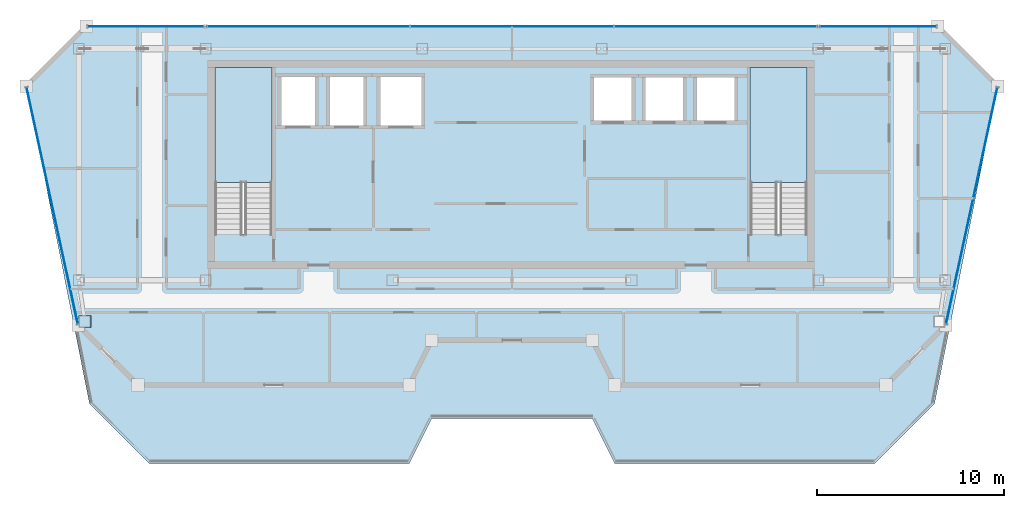
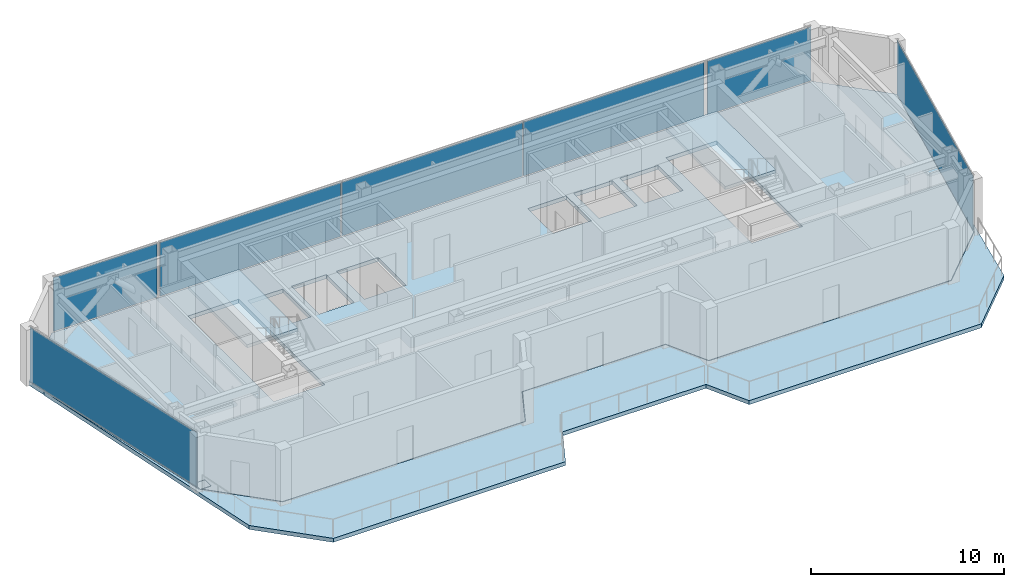
# One storey, part 10 of 17: 8 plates, 4 slabs, 7 elements without a shape of their own.
"""IFC4 building model written with IfcOpenShell, lengths in metres."""

import ifcopenshell
import ifcopenshell.guid

model = None  # the IFC model being written
_history = None  # IfcOwnerHistory: only IFC2X3 demands one
_inside = {}  # id of a spatial element -> (the spatial element, [elements in it])
_under = {}  # id of a project, library or spatial element -> (it, [spatial elements below it])
_declared = {}  # id of a project -> (the project, [libraries it declares])
_typed = {}  # id of a type object -> (the type object, [elements of that type])
_made_of = {}  # id of a material, layer set ... -> (it, [elements and type objects made of it])


def new_model(schema):
    """Start an empty IFC model of exactly this schema.

    Asked for "IFC4X3", IfcOpenShell would pick the latest addendum, in which some entities
    have other attributes; the version numbers below select the first issue.
    IFC2X3 requires an IfcOwnerHistory on every rooted entity: one is made here for all.
    """
    global model, _history
    if schema == "IFC4X3":
        model = ifcopenshell.file(schema_version=(4, 3, 0, 0))
    else:
        model = ifcopenshell.file(schema=schema)
    _inside.clear()
    _under.clear()
    _declared.clear()
    _typed.clear()
    _made_of.clear()
    _history = None
    if model.schema == "IFC2X3":
        org = make("IfcOrganization", Name="unknown")
        user = make(
            "IfcPersonAndOrganization",
            ThePerson=make("IfcPerson", FamilyName="unknown"),
            TheOrganization=org,
        )
        app = make(
            "IfcApplication",
            ApplicationDeveloper=org,
            Version="unknown",
            ApplicationFullName="unknown",
            ApplicationIdentifier="unknown",
        )
        _history = make(
            "IfcOwnerHistory",
            OwningUser=user,
            OwningApplication=app,
            ChangeAction="ADDED",
            CreationDate=0,
        )
    return model


def make(cls, **values):
    """One entity of the class cls with the attributes given. An attribute that is None is left unset."""
    return model.create_entity(
        cls, **{name: value for name, value in values.items() if value is not None}
    )


def rooted(cls, **values):
    """An entity with a GlobalId (a new one), such as an element, a storey or a relation."""
    return make(cls, GlobalId=ifcopenshell.guid.new(), OwnerHistory=_history, **values)


def si_unit(unit_type, name, prefix=None):
    """IfcSIUnit, for example si_unit("LENGTHUNIT", "METRE", prefix="MILLI")."""
    return make("IfcSIUnit", UnitType=unit_type, Prefix=prefix, Name=name)


def assignment(units):
    """IfcUnitAssignment: the units of a project."""
    return None if units is None else make("IfcUnitAssignment", Units=units)


def point(xyz):
    """IfcCartesianPoint."""
    return None if xyz is None else make("IfcCartesianPoint", Coordinates=xyz)


def direction(xyz):
    """IfcDirection."""
    return None if xyz is None else make("IfcDirection", DirectionRatios=xyz)


def frame(location, z_axis=None, x_axis=None):
    """IfcAxis2Placement3D, a coordinate frame: its origin and axes. An axis left out is left unset."""
    return make(
        "IfcAxis2Placement3D",
        Location=point(location),
        Axis=direction(z_axis),
        RefDirection=direction(x_axis),
    )


def frame_2d(location, x_axis=None):
    """IfcAxis2Placement2D, a coordinate frame in the plane: its origin and x axis."""
    return make(
        "IfcAxis2Placement2D", Location=point(location), RefDirection=direction(x_axis)
    )


def origin():
    """The frame at (0, 0, 0) with its axes left unset."""
    return frame((0.0, 0.0, 0.0))


def origin_2d():
    """The frame at (0, 0) in the plane with its x axis left unset."""
    return frame_2d((0.0, 0.0))


def place(relative_to, where):
    """IfcLocalPlacement: puts the frame where relative to a parent placement (None: the world)."""
    return make(
        "IfcLocalPlacement", PlacementRelTo=relative_to, RelativePlacement=where
    )


def context(
    kind, dimensions, precision=None, world=None, true_north=None, identifier=None
):
    """IfcGeometricRepresentationContext, for example the 3D "Model" context."""
    return make(
        "IfcGeometricRepresentationContext",
        ContextIdentifier=identifier,
        ContextType=kind,
        CoordinateSpaceDimension=dimensions,
        Precision=precision,
        WorldCoordinateSystem=world,
        TrueNorth=true_north,
    )


def subcontext(parent, identifier, kind, view, scale=None):
    """IfcGeometricRepresentationSubContext, for example "Body" below "Model"."""
    return make(
        "IfcGeometricRepresentationSubContext",
        ContextIdentifier=identifier,
        ContextType=kind,
        ParentContext=parent,
        TargetScale=scale,
        TargetView=view,
    )


def project(units=None, contexts=None):
    """IfcProject with its units and contexts."""
    return rooted(
        "IfcProject",
        Name="project",
        RepresentationContexts=contexts,
        UnitsInContext=assignment(units),
    )


def spatial(cls, under=None, at=None, **own):
    """A site, building, storey or space (cls), placed at a placement, below another one or the project."""
    s = rooted(cls, ObjectPlacement=at, **own)
    if under is not None:
        _under.setdefault(under.id(), (under, []))[1].append(s)
    return s


def polyline(points):
    """IfcPolyline through the points."""
    return make("IfcPolyline", Points=[point(p) for p in points])


def profile(cls, at=None, kind="AREA", **sizes):
    """A parametric profile (cls). Its sizes go by their IFC names, for example OverallWidth=200.0."""
    return make(cls, ProfileType=kind, Position=at, **sizes)


def rectangle(**sizes):
    """IfcRectangleProfileDef."""
    return profile("IfcRectangleProfileDef", **sizes)


def outline(outer, holes=None, kind="AREA"):
    """IfcArbitraryClosedProfileDef: a profile drawn as a closed curve; with holes, ...WithVoids."""
    if holes is None:
        return make("IfcArbitraryClosedProfileDef", ProfileType=kind, OuterCurve=outer)
    return make(
        "IfcArbitraryProfileDefWithVoids",
        ProfileType=kind,
        OuterCurve=outer,
        InnerCurves=holes,
    )


def extrude(swept, where, along, depth):
    """IfcExtrudedAreaSolid: the profile swept, set in the frame where, extruded along a direction by depth."""
    return make(
        "IfcExtrudedAreaSolid",
        SweptArea=swept,
        Position=where,
        ExtrudedDirection=direction(along),
        Depth=depth,
    )


def shape(context_of_items, identifier, shape_type, items):
    """IfcShapeRepresentation: the items that make up one representation, for example the "Body"."""
    return make(
        "IfcShapeRepresentation",
        ContextOfItems=context_of_items,
        RepresentationIdentifier=identifier,
        RepresentationType=shape_type,
        Items=items,
    )


def material(Name=None, Category=None):
    """IfcMaterial."""
    return make("IfcMaterial", Name=Name, Category=Category)


def layer(
    of_material, thickness, ventilated=None, Name=None, Category=None, Priority=None
):
    """IfcMaterialLayer: one layer of a wall or slab, of a material (None: an air gap)."""
    return make(
        "IfcMaterialLayer",
        Material=of_material,
        LayerThickness=thickness,
        IsVentilated=ventilated,
        Name=Name,
        Category=Category,
        Priority=Priority,
    )


def layer_set(layers, Name=None):
    """IfcMaterialLayerSet."""
    return make("IfcMaterialLayerSet", MaterialLayers=layers, LayerSetName=Name)


def made_of(thing, what):
    """Note that an element or type object is made of a material, layer set ...; save() writes the relation."""
    if what is not None:
        _made_of.setdefault(what.id(), (what, []))[1].append(thing)
    return thing


def type_object(cls, material=None, **own):
    """A type object (cls), such as IfcWallType, which elements share."""
    return made_of(rooted(cls, **own), material)


def element(
    cls,
    number,
    at=None,
    inside=None,
    cuts=None,
    type_object=None,
    material=None,
    context=None,
    identifier="Body",
    shape_type=None,
    held_by="IfcProductDefinitionShape",
    body=None,
    shapes=None,
    **own,
):
    """One element of the class cls, such as IfcWall. Its Tag is "e" and its number.

    at: its placement. inside: the storey or other place that contains it. cuts: it is an
    opening in that element (IfcRelVoidsElement). A single representation is given by context,
    identifier, shape_type and body (its items); several are given by shapes. held_by: the class
    of the entity that holds the representations. save() writes the other relations.
    """
    e = rooted(cls, Tag="e%d" % number, ObjectPlacement=at, **own)
    if body is not None:
        shapes = [shape(context, identifier, shape_type, body)]
    if shapes is not None:
        e.Representation = make(held_by, Representations=shapes)
    if inside is not None:
        _inside.setdefault(inside.id(), (inside, []))[1].append(e)
    if cuts is not None:
        rooted(
            "IfcRelVoidsElement", RelatingBuildingElement=cuts, RelatedOpeningElement=e
        )
    if type_object is not None:
        _typed.setdefault(type_object.id(), (type_object, []))[1].append(e)
    return made_of(e, material)


def aggregate(whole, parts):
    """IfcRelAggregates: a whole, such as a stair, and the parts it consists of."""
    return rooted("IfcRelAggregates", RelatingObject=whole, RelatedObjects=parts)


def save(model, path):
    """Write the relations noted so far, then the file.

    IfcRelAggregates (storeys below a building ...), IfcRelContainedInSpatialStructure (elements
    in a storey), IfcRelDefinesByType, IfcRelAssociatesMaterial and IfcRelDeclares: one each for
    every whole, place, type object, material and project.
    """
    for whole, parts in _under.values():
        aggregate(whole, parts)
    for where, things in _inside.values():
        rooted(
            "IfcRelContainedInSpatialStructure",
            RelatedElements=things,
            RelatingStructure=where,
        )
    for kind, things in _typed.values():
        rooted("IfcRelDefinesByType", RelatedObjects=things, RelatingType=kind)
    for what, things in _made_of.values():
        rooted("IfcRelAssociatesMaterial", RelatedObjects=things, RelatingMaterial=what)
    for by, libraries in _declared.values():
        rooted("IfcRelDeclares", RelatingContext=by, RelatedDefinitions=libraries)
    model.write(path)


model = new_model("IFC4")

# Units and contexts
model_context = context("Model", 3, precision=1e-05, world=origin(), true_north=direction((0.0, 1.0)))
body_context = subcontext(model_context, "Body", "Model", "MODEL_VIEW")
ifc_project = project(units=[si_unit("LENGTHUNIT", "METRE"), si_unit("AREAUNIT", "SQUARE_METRE"), si_unit("VOLUMEUNIT", "CUBIC_METRE"), si_unit("PLANEANGLEUNIT", "RADIAN"), si_unit("MASSUNIT", "GRAM", prefix="KILO")], contexts=[model_context])

# Site, building, storey
site_placement = place(None, origin())
site = spatial("IfcSite", under=ifc_project, at=site_placement, CompositionType="ELEMENT")
building_placement = place(site_placement, origin())
building = spatial("IfcBuilding", under=site, at=building_placement, Name="Saevonmaru Cultural Tower", CompositionType="ELEMENT")
storey_placement = place(building_placement, frame((0.0, 0.0, 310.39990234375)))
storey = spatial("IfcBuildingStorey", under=building, at=storey_placement, Name="L74", CompositionType="ELEMENT", Elevation=310.39990234375)

# Plate
ifc_material_1 = material(Name="Steel HSA600 (600 MPa)", Category="steel")
ifc_layer_1 = layer(ifc_material_1, 0.0400390625, Name="Steel HSA600 (600 MPa)")
ifc_layer_set_1 = layer_set([ifc_layer_1], Name="Steel HSA600 (600 MPa)")
plate_type_1 = type_object("IfcPlateType", Name="PL-CAP-600", PredefinedType="USERDEFINED", material=ifc_layer_set_1)
plate_1_placement = place(storey_placement, frame((7.132080078125, 40.199951171875, -0.034912109375), z_axis=(0.0, 0.0, 1.0), x_axis=(1.0, 0.0, 0.0)))
element("IfcPlate", 1, at=plate_1_placement, inside=storey, type_object=plate_type_1, Name="Column base cap plate TC-WO-Y402", ObjectType="CAP_PLATE", PredefinedType="USERDEFINED", context=body_context, shape_type="SweptSolid", body=[
    extrude(rectangle(XDim=0.639892578125, YDim=0.639892578125, at=origin_2d()), origin(), (0.0, 0.0, 1.0), 0.0400390625),
])

# Curtain wall, plate
ifc_material_2 = material(Name="Satin Bronze Anodised Aluminium", Category="aluminium")
curtain_wall_type = type_object("IfcCurtainWallType", Name="CW-TYP-B", PredefinedType="NOTDEFINED", material=ifc_material_2)
curtain_wall_1_placement = place(storey_placement, origin())
curtain_wall_1 = element("IfcCurtainWall", 2, at=curtain_wall_1_placement, inside=storey, type_object=curtain_wall_type, Name="L74 Unitised Curtain Wall E8", PredefinedType="NOTDEFINED")
ifc_material_3 = material(Name="Triple Silver Low-E Insulating Glass", Category="glass")
ifc_layer_2 = layer(ifc_material_3, 0.035888671875, Name="Triple Silver Low-E Insulating Glass")
ifc_layer_set_2 = layer_set([ifc_layer_2], Name="Triple Silver Low-E Insulating Glass")
plate_type_2 = type_object("IfcPlateType", Name="PN-GLZ-IGU", PredefinedType="CURTAIN_PANEL", material=ifc_layer_set_2)
plate_2_placement = place(storey_placement, frame((54.61328125, 46.39990234375, 0.067138671875), z_axis=(0.0, 0.0, 1.0), x_axis=(0.211750401587, 0.977323778196, 0.0)))
plate_2 = element("IfcPlate", 3, at=plate_2_placement, type_object=plate_type_2, Name="CW-TW-L74-E8 panel 1.1", PredefinedType="CURTAIN_PANEL", context=body_context, shape_type="SweptSolid", body=[
    extrude(rectangle(XDim=12.907958984375, YDim=0.035888671875, at=origin_2d()), origin(), (0.0, 0.0, 1.0), 3.416015625),
])
aggregate(curtain_wall_1, [plate_2])

# Curtain wall, plates
curtain_wall_2_placement = place(storey_placement, origin())
curtain_wall_2 = element("IfcCurtainWall", 4, at=curtain_wall_2_placement, inside=storey, type_object=curtain_wall_type, Name="L74 North Spine Unitised Curtain Wall E10B", PredefinedType="NOTDEFINED")
plate_3_placement = place(storey_placement, frame((40.893310546875, 56.0, 0.067138671875), z_axis=(0.0, 0.0, 1.0), x_axis=(-1.0, 0.0, 0.0)))
plate_3 = element("IfcPlate", 5, at=plate_3_placement, type_object=plate_type_2, Name="CW-TW-L74-E10B panel 1.1", PredefinedType="CURTAIN_PANEL", context=body_context, shape_type="SweptSolid", body=[
    extrude(rectangle(XDim=10.82421875, YDim=0.035888671875, at=origin_2d()), origin(), (0.0, 0.0, 1.0), 3.416015625),
])
plate_4_placement = place(storey_placement, frame((30.0, 56.0, 0.067138671875), z_axis=(0.0, 0.0, 1.0), x_axis=(-1.0, 0.0, 0.0)))
plate_4 = element("IfcPlate", 6, at=plate_4_placement, type_object=plate_type_2, Name="CW-TW-L74-E10B panel 2.1", PredefinedType="CURTAIN_PANEL", context=body_context, shape_type="SweptSolid", body=[
    extrude(rectangle(XDim=10.82421875, YDim=0.035888671875, at=origin_2d()), origin(), (0.0, 0.0, 1.0), 3.416015625),
])
plate_5_placement = place(storey_placement, frame((19.106689453125, 56.0, 0.067138671875), z_axis=(0.0, 0.0, 1.0), x_axis=(-1.0, 0.0, 0.0)))
plate_5 = element("IfcPlate", 7, at=plate_5_placement, type_object=plate_type_2, Name="CW-TW-L74-E10B panel 3.1", PredefinedType="CURTAIN_PANEL", context=body_context, shape_type="SweptSolid", body=[
    extrude(rectangle(XDim=10.82421875, YDim=0.035888671875, at=origin_2d()), origin(), (0.0, 0.0, 1.0), 3.416015625),
])
aggregate(curtain_wall_2, [plate_3, plate_4, plate_5])

# Curtain wall, plate
curtain_wall_3_placement = place(storey_placement, origin())
curtain_wall_3 = element("IfcCurtainWall", 8, at=curtain_wall_3_placement, inside=storey, type_object=curtain_wall_type, Name="L74 Unitised Curtain Wall E12", PredefinedType="NOTDEFINED")
plate_6_placement = place(storey_placement, frame((5.38671875, 46.39990234375, 0.067138671875), z_axis=(0.0, 0.0, 1.0), x_axis=(0.211750401587, -0.977323778196, 0.0)))
plate_6 = element("IfcPlate", 9, at=plate_6_placement, type_object=plate_type_2, Name="CW-TW-L74-E12 panel 1.1", PredefinedType="CURTAIN_PANEL", context=body_context, shape_type="SweptSolid", body=[
    extrude(rectangle(XDim=12.907958984375, YDim=0.035888671875, at=origin_2d()), origin(), (0.0, 0.0, 1.0), 3.416015625),
])
aggregate(curtain_wall_3, [plate_6])

curtain_wall_4_placement = place(storey_placement, origin())
curtain_wall_4 = element("IfcCurtainWall", 10, at=curtain_wall_4_placement, inside=storey, type_object=curtain_wall_type, Name="L74 East Braced Bay Spandrel Curtain Wall E10A", PredefinedType="NOTDEFINED")
ifc_material_4 = material(Name="Insulated Satin Bronze Aluminium Spandrel Panel", Category="aluminium")
ifc_layer_3 = layer(ifc_material_4, 0.0400390625, Name="Insulated Satin Bronze Aluminium Spandrel Panel")
ifc_layer_set_3 = layer_set([ifc_layer_3], Name="Insulated Satin Bronze Aluminium Spandrel Panel")
plate_type_3 = type_object("IfcPlateType", Name="PN-SPANDREL-BRONZE", PredefinedType="CURTAIN_PANEL", material=ifc_layer_set_3)
plate_7_placement = place(storey_placement, frame((49.60009765625, 56.0, 0.067138671875), z_axis=(0.0, 0.0, 1.0), x_axis=(-1.0, 0.0, 0.0)))
plate_7 = element("IfcPlate", 11, at=plate_7_placement, type_object=plate_type_3, Name="CW-TW-L74-E10A panel 1.1", PredefinedType="CURTAIN_PANEL", context=body_context, shape_type="SweptSolid", body=[
    extrude(rectangle(XDim=6.2109375, YDim=0.035888671875, at=origin_2d()), origin(), (0.0, 0.0, 1.0), 3.416015625),
])
aggregate(curtain_wall_4, [plate_7])

curtain_wall_5_placement = place(storey_placement, origin())
curtain_wall_5 = element("IfcCurtainWall", 12, at=curtain_wall_5_placement, inside=storey, type_object=curtain_wall_type, Name="L74 West Braced Bay Spandrel Curtain Wall E10C", PredefinedType="NOTDEFINED")
plate_8_placement = place(storey_placement, frame((10.39990234375, 56.0, 0.067138671875), z_axis=(0.0, 0.0, 1.0), x_axis=(-1.0, 0.0, 0.0)))
plate_8 = element("IfcPlate", 13, at=plate_8_placement, type_object=plate_type_3, Name="CW-TW-L74-E10C panel 1.1", PredefinedType="CURTAIN_PANEL", context=body_context, shape_type="SweptSolid", body=[
    extrude(rectangle(XDim=6.2109375, YDim=0.035888671875, at=origin_2d()), origin(), (0.0, 0.0, 1.0), 3.416015625),
])
aggregate(curtain_wall_5, [plate_8])

# Slab
ifc_material_5 = material(Name="Concrete C40/50", Category="concrete")
ifc_layer_4 = layer(ifc_material_5, 0.25, Name="Concrete C40/50")
ifc_layer_set_4 = layer_set([ifc_layer_4], Name="Concrete C40/50")
slab_type_1 = type_object("IfcSlabType", Name="SL-FLR-250", PredefinedType="FLOOR", material=ifc_layer_set_4)
slab_1_placement = place(storey_placement, frame((0.0, 0.0, -0.25)))
element("IfcSlab", 14, at=slab_1_placement, inside=storey, type_object=slab_type_1, Name="L74 Tower Structural Floor Slab", PredefinedType="FLOOR", context=body_context, shape_type="SweptSolid", body=[
    extrude(outline(polyline([(6.773193359375, 40.0), (9.973388671875, 36.800048828125), (24.5, 36.800048828125), (25.699951171875, 39.199951171875), (34.300048828125, 39.199951171875), (35.5, 36.800048828125), (50.026611328125, 36.800048828125), (53.226806640625, 40.0), (56.0, 52.800048828125), (52.800048828125, 56.0), (7.199951171875, 56.0), (4.0, 52.800048828125), (6.773193359375, 40.0)]), holes=[polyline([(45.800048828125, 53.800048828125), (45.800048828125, 44.875), (42.75, 44.875), (42.75, 53.800048828125), (45.800048828125, 53.800048828125)]), polyline([(42.050048828125, 50.800048828125), (39.75, 50.800048828125), (39.75, 53.39990234375), (42.050048828125, 53.39990234375), (42.050048828125, 50.800048828125)]), polyline([(39.300048828125, 50.800048828125), (37.0, 50.800048828125), (37.0, 53.39990234375), (39.300048828125, 53.39990234375), (39.300048828125, 50.800048828125)]), polyline([(36.550048828125, 50.800048828125), (34.25, 50.800048828125), (34.25, 53.39990234375), (36.550048828125, 53.39990234375), (36.550048828125, 50.800048828125)]), polyline([(25.300048828125, 50.550048828125), (22.800048828125, 50.550048828125), (22.800048828125, 53.449951171875), (25.300048828125, 53.449951171875), (25.300048828125, 50.550048828125)]), polyline([(22.199951171875, 50.550048828125), (20.10009765625, 50.550048828125), (20.10009765625, 53.449951171875), (22.199951171875, 53.449951171875), (22.199951171875, 50.550048828125)]), polyline([(19.60009765625, 50.550048828125), (17.5, 50.550048828125), (17.5, 53.449951171875), (19.60009765625, 53.449951171875), (19.60009765625, 50.550048828125)]), polyline([(17.14990234375, 53.800048828125), (17.14990234375, 44.875), (14.10009765625, 44.875), (14.10009765625, 53.800048828125), (17.14990234375, 53.800048828125)])]), origin(), (0.0, 0.0, 1.0), 0.25),
])

# Stair, slab
stair_type = type_object("IfcStairType", Name="STR-DOGLEG-RC", PredefinedType="HALF_TURN_STAIR", material=ifc_material_5)
stair_1_placement = place(storey_placement, origin())
stair_1 = element("IfcStair", 15, at=stair_1_placement, inside=storey, type_object=stair_type, Name="L74 Protected exit stair ST-1", PredefinedType="HALF_TURN_STAIR")
ifc_layer_5 = layer(ifc_material_5, 0.199951171875, Name="Concrete C40/50")
ifc_layer_set_5 = layer_set([ifc_layer_5], Name="Concrete C40/50")
slab_type_2 = type_object("IfcSlabType", Name="SL-STAIR-LANDING", PredefinedType="LANDING", material=ifc_layer_set_5)
slab_2_placement = place(storey_placement, frame((0.0, 0.0, 1.7001953125)))
slab_2 = element("IfcSlab", 16, at=slab_2_placement, type_object=slab_type_2, Name="ST-1-L74 landing 1", PredefinedType="LANDING", context=body_context, shape_type="SweptSolid", body=[
    extrude(outline(polyline([(17.14990234375, 47.64990234375), (17.14990234375, 53.800048828125), (14.10009765625, 53.800048828125), (14.10009765625, 47.64990234375), (17.14990234375, 47.64990234375)])), origin(), (0.0, 0.0, 1.0), 0.199951171875),
])
aggregate(stair_1, [slab_2])

stair_2_placement = place(storey_placement, origin())
stair_2 = element("IfcStair", 17, at=stair_2_placement, inside=storey, type_object=stair_type, Name="L74 Protected exit stair ST-2", PredefinedType="HALF_TURN_STAIR")
slab_3_placement = place(storey_placement, frame((0.0, 0.0, 1.7001953125)))
slab_3 = element("IfcSlab", 18, at=slab_3_placement, type_object=slab_type_2, Name="ST-2-L74 landing 1", PredefinedType="LANDING", context=body_context, shape_type="SweptSolid", body=[
    extrude(outline(polyline([(45.800048828125, 47.64990234375), (45.800048828125, 53.800048828125), (42.75, 53.800048828125), (42.75, 47.64990234375), (45.800048828125, 47.64990234375)])), origin(), (0.0, 0.0, 1.0), 0.199951171875),
])
aggregate(stair_2, [slab_3])

# Slab
ifc_layer_6 = layer(ifc_material_5, 0.25, Name="Concrete C40/50")
ifc_layer_set_6 = layer_set([ifc_layer_6], Name="Concrete C40/50")
slab_type_3 = type_object("IfcSlabType", Name="SL-TERR-250", PredefinedType="FLOOR", material=ifc_layer_set_6)
slab_4_placement = place(storey_placement, frame((0.0, 0.0, -0.25)))
element("IfcSlab", 19, at=slab_4_placement, inside=storey, type_object=slab_type_3, Name="L74 Sawtooth Setback Roof Terrace 1", PredefinedType="FLOOR", context=body_context, shape_type="SweptSolid", body=[
    extrude(outline(polyline([(55.77197265625, 51.65283203125), (53.24609375, 39.995849609375), (53.245849609375, 39.993896484375), (53.2451171875, 39.9921875), (53.244384765625, 39.990478515625), (53.243408203125, 39.98876953125), (53.2421875, 39.9873046875), (53.24072265625, 39.98583984375), (50.040771484375, 36.785888671875), (50.039306640625, 36.784423828125), (50.037841796875, 36.783447265625), (50.0361328125, 36.782470703125), (50.034423828125, 36.781494140625), (50.032470703125, 36.781005859375), (50.030517578125, 36.780517578125), (50.02880859375, 36.780029296875), (50.026611328125, 36.780029296875), (35.5, 36.780029296875), (35.498046875, 36.780029296875), (35.49609375, 36.780517578125), (35.494140625, 36.781005859375), (35.4921875, 36.781494140625), (35.490478515625, 36.782470703125), (35.488525390625, 36.783447265625), (35.487060546875, 36.784912109375), (35.485595703125, 36.7861328125), (35.484375, 36.78759765625), (35.483154296875, 36.789306640625), (35.482177734375, 36.791015625), (34.28759765625, 39.179931640625), (25.71240234375, 39.179931640625), (24.517822265625, 36.791015625), (24.516845703125, 36.789306640625), (24.515625, 36.78759765625), (24.514404296875, 36.7861328125), (24.512939453125, 36.784912109375), (24.511474609375, 36.783447265625), (24.509521484375, 36.782470703125), (24.5078125, 36.781494140625), (24.505859375, 36.781005859375), (24.50390625, 36.780517578125), (24.501953125, 36.780029296875), (24.5, 36.780029296875), (9.973388671875, 36.780029296875), (9.97119140625, 36.780029296875), (9.969482421875, 36.780517578125), (9.967529296875, 36.781005859375), (9.965576171875, 36.781494140625), (9.9638671875, 36.782470703125), (9.962158203125, 36.783447265625), (9.960693359375, 36.784423828125), (9.959228515625, 36.785888671875), (6.75927734375, 39.98583984375), (6.7578125, 39.9873046875), (6.756591796875, 39.98876953125), (6.755615234375, 39.990478515625), (6.7548828125, 39.9921875), (6.754150390625, 39.993896484375), (6.75390625, 39.995849609375), (4.22802734375, 51.65283203125), (7.3798828125, 35.800048828125), (10.580078125, 32.60009765625), (24.5, 32.60009765625), (25.699951171875, 35.0), (34.300048828125, 35.0), (35.5, 32.60009765625), (49.419921875, 32.60009765625), (52.6201171875, 35.800048828125), (55.77197265625, 51.65283203125)])), origin(), (0.0, 0.0, 1.0), 0.25),
])

save(model, "model.ifc")
